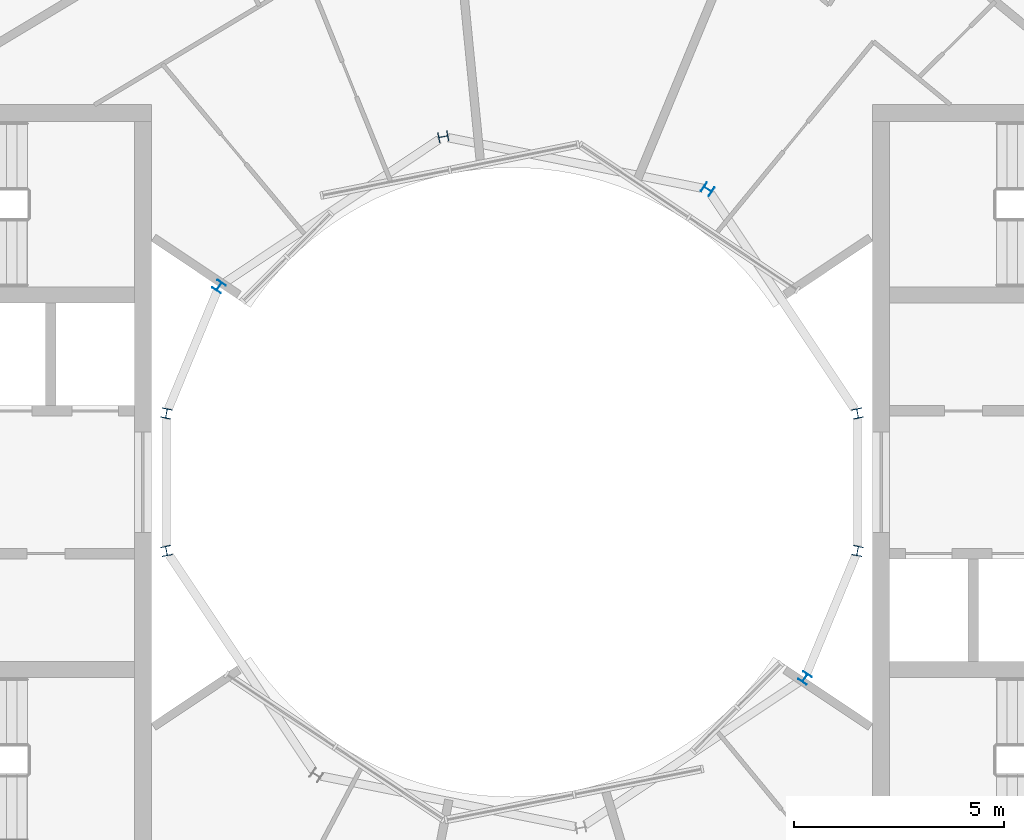
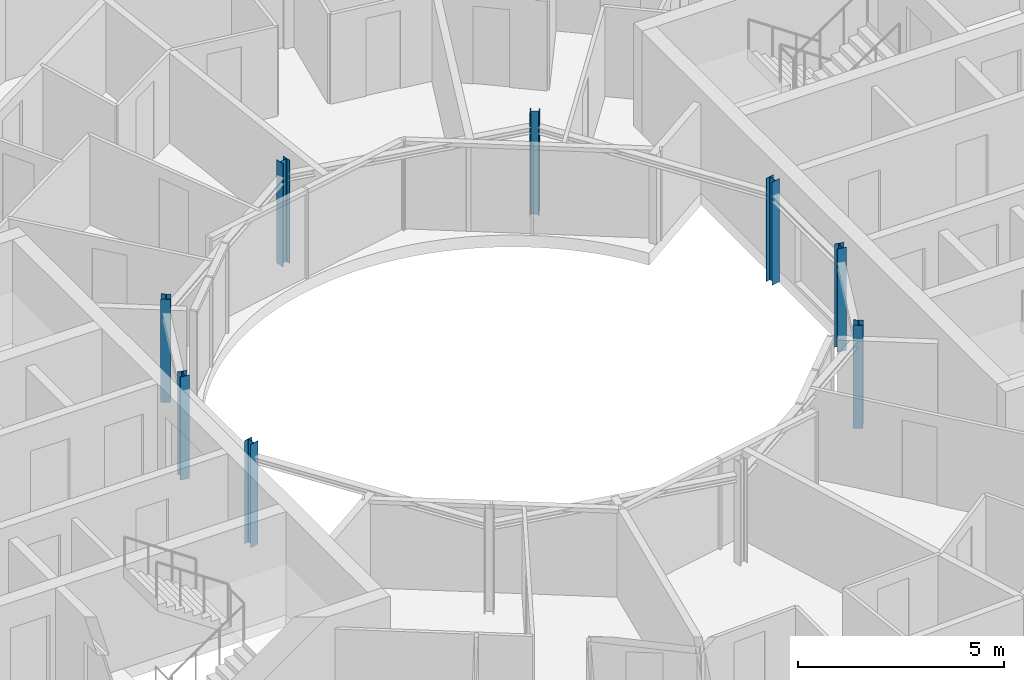
# One storey, part 2 of 17: 8 columns.
"""IFC4 building model written with IfcOpenShell, lengths in metres."""

from ifc_helpers import new_model, si_unit, direction, frame, origin, origin_2d, place, context, subcontext, project, spatial, i_section, extrude, material, material_profile, profile_set, type_object, element, save


model = new_model("IFC4")

# Units and contexts
model_context = context("Model", 3, precision=1e-05, world=origin(), true_north=direction((0.0, 1.0)))
body_context = subcontext(model_context, "Body", "Model", "MODEL_VIEW")
ifc_project = project(units=[si_unit("LENGTHUNIT", "METRE"), si_unit("AREAUNIT", "SQUARE_METRE"), si_unit("VOLUMEUNIT", "CUBIC_METRE"), si_unit("PLANEANGLEUNIT", "RADIAN"), si_unit("MASSUNIT", "GRAM", prefix="KILO")], contexts=[model_context])

# Site, building, storey
site_placement = place(None, origin())
site = spatial("IfcSite", under=ifc_project, at=site_placement, CompositionType="ELEMENT")
building_placement = place(site_placement, origin())
building = spatial("IfcBuilding", under=site, at=building_placement, Name="Maasbend Ring Residences", CompositionType="ELEMENT")
storey_placement = place(building_placement, frame((0.0, 0.0, 252.35009765625)))
storey = spatial("IfcBuildingStorey", under=building, at=storey_placement, Name="L73", CompositionType="ELEMENT", Elevation=252.35009765625)

# Columns
ifc_material = material(Name="Steel S355J2", Category="steel")
ifc_material_profile = material_profile(ifc_material, i_section(OverallWidth=0.239990234375, OverallDepth=0.22998046875, WebThickness=0.007568359375, FlangeThickness=0.011962890625, FilletRadius=0.02099609375, at=origin_2d()), Name="HEA 240")
ifc_profile_set = profile_set([ifc_material_profile], Name="Steel S355J2")
column_type = type_object("IfcColumnType", Name="Steel column HEA 240", PredefinedType="COLUMN", material=ifc_profile_set)
for number, where, z_axis, x_axis, name in (
    (1, (8.238525390625, 1.638916015625, 0.0), (0.0, 0.0, 1.0), (0.980785280403, 0.195090322016, 0.0), "Well ring column R1"),
    (2, (4.666748046875, 6.984375, 0.0), (0.0, 0.0, 1.0), (0.55557023302, 0.831469612303, 0.0), "Well ring column R3"),
    (3, (-1.638916015625, 8.238525390625, 0.0), (0.0, 0.0, 1.0), (-0.195090322016, 0.980785280403, 0.0), "Well ring column R5"),
    (4, (-6.984375, 4.666748046875, 0.0), (0.0, 0.0, 1.0), (-0.831469612303, 0.55557023302, 0.0), "Well ring column R7"),
    (5, (-8.238525390625, 1.638916015625, 0.0), (0.0, 0.0, 1.0), (-0.980785280403, 0.195090322016, 0.0), "Well ring column R8"),
    (6, (-8.238525390625, -1.638916015625, 0.0), (0.0, 0.0, 1.0), (-0.980785280403, -0.195090322016, 0.0), "Well ring column R9"),
    (7, (6.984375, -4.666748046875, 0.0), (0.0, 0.0, 1.0), (0.831469612303, -0.55557023302, 0.0), "Well ring column R15"),
    (8, (8.238525390625, -1.638916015625, 0.0), (0.0, 0.0, 1.0), (0.980785280403, -0.195090322016, 0.0), "Well ring column R16"),
):
    element("IfcColumn", number, at=place(storey_placement, frame(where, z_axis=z_axis, x_axis=x_axis)), inside=storey, type_object=column_type, Name=name, PredefinedType="COLUMN", context=body_context, shape_type="SweptSolid", body=[
        extrude(i_section(OverallWidth=0.239990234375, OverallDepth=0.22998046875, WebThickness=0.007568359375, FlangeThickness=0.011962890625, FilletRadius=0.02099609375, at=origin_2d()), origin(), (0.0, 0.0, 1.0), 3.0498046875),
    ])

save(model, "model.ifc")
